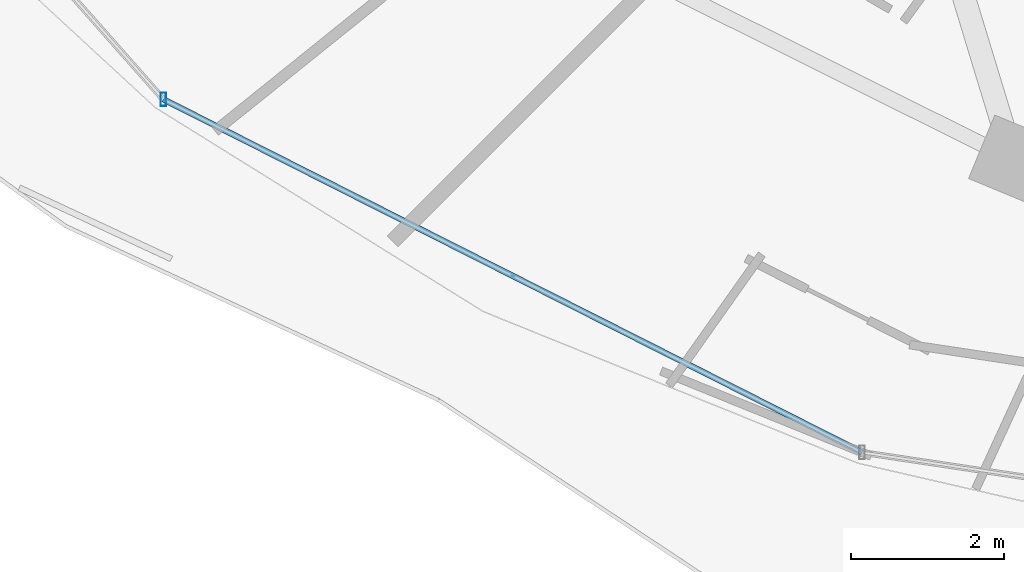
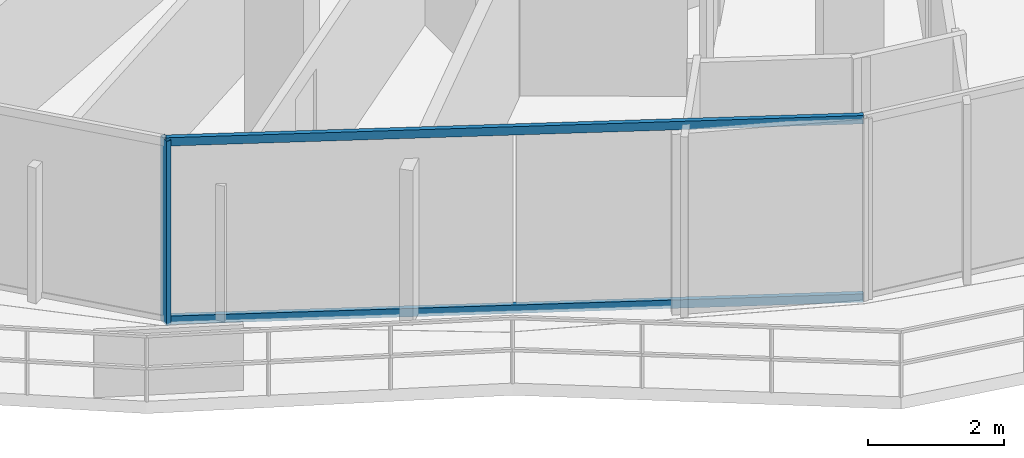
# One storey, part 2 of 33: 3 members, 1 element without a shape of its own.
"""IFC4 building model written with IfcOpenShell, lengths in metres."""

from ifc_helpers import new_model, si_unit, direction, frame, origin, origin_2d, place, context, subcontext, project, spatial, hollow_rectangle, extrude, material, material_profile, profile_set, type_object, element, aggregate, save


model = new_model("IFC4")

# Units and contexts
model_context = context("Model", 3, precision=1e-05, world=origin(), true_north=direction((0.0, 1.0)))
body_context = subcontext(model_context, "Body", "Model", "MODEL_VIEW")
ifc_project = project(units=[si_unit("LENGTHUNIT", "METRE"), si_unit("AREAUNIT", "SQUARE_METRE"), si_unit("VOLUMEUNIT", "CUBIC_METRE"), si_unit("PLANEANGLEUNIT", "RADIAN"), si_unit("MASSUNIT", "GRAM", prefix="KILO")], contexts=[model_context])

# Site, building, storey
site_placement = place(None, origin())
site = spatial("IfcSite", under=ifc_project, at=site_placement, CompositionType="ELEMENT")
building_placement = place(site_placement, origin())
building = spatial("IfcBuilding", under=site, at=building_placement, Name="Vorneva Point Tower", CompositionType="ELEMENT")
storey_placement = place(building_placement, frame((0.0, 0.0, 179.10009765625)))
storey = spatial("IfcBuildingStorey", under=building, at=storey_placement, Name="L48", CompositionType="ELEMENT", Elevation=179.10009765625)

# Curtain wall, members
ifc_material = material(Name="Pale anodised aluminium", Category="aluminium")
curtain_wall_type = type_object("IfcCurtainWallType", Name="CW-RES-SYS", PredefinedType="NOTDEFINED", material=ifc_material)
curtain_wall_placement = place(storey_placement, origin())
curtain_wall = element("IfcCurtainWall", 1, at=curtain_wall_placement, inside=storey, type_object=curtain_wall_type, Name="L48 Unitised Curtain Wall CW-L48-R03", PredefinedType="NOTDEFINED")
ifc_material_profile_1 = material_profile(ifc_material, hollow_rectangle(XDim=0.074951171875, YDim=0.179931640625, WallThickness=0.00390625, at=origin_2d()), Name="AL-MUL 180x75x4")
ifc_profile_set_1 = profile_set([ifc_material_profile_1], Name="Pale anodised aluminium")
member_type_1 = type_object("IfcMemberType", Name="CW-MUL-180", PredefinedType="MULLION", material=ifc_profile_set_1)
member_1_placement = place(storey_placement, frame((18.038330078125, 10.9033203125, -0.0400390625), z_axis=(0.0, 0.0, 1.0), x_axis=(1.0, 0.0, 0.0)))
member_1 = element("IfcMember", 2, at=member_1_placement, type_object=member_type_1, Name="CW-L48-R03 Mullion 02", PredefinedType="MULLION", context=body_context, shape_type="SweptSolid", body=[
    extrude(hollow_rectangle(XDim=0.074951171875, YDim=0.179931640625, WallThickness=0.00390625, at=origin_2d()), origin(), (0.0, 0.0, 1.0), 3.31005859375),
])
ifc_material_profile_2 = material_profile(ifc_material, hollow_rectangle(XDim=0.074951171875, YDim=0.14990234375, WallThickness=0.00390625, at=origin_2d()), Name="AL-TRN 150x75x4")
ifc_profile_set_2 = profile_set([ifc_material_profile_2], Name="Pale anodised aluminium")
member_type_2 = type_object("IfcMemberType", Name="CW-TRN-150", PredefinedType="USERDEFINED", material=ifc_profile_set_2)
member_2_placement = place(storey_placement, frame((18.038330078125, 10.9033203125, 0.02001953125), z_axis=(0.892510927709, -0.451025768576, 0.0), x_axis=(0.451025768576, 0.892510927709, 0.0)))
member_2 = element("IfcMember", 3, at=member_2_placement, type_object=member_type_2, Name="CW-L48-R03 Transom 02.1", ObjectType="TRANSOM", PredefinedType="USERDEFINED", context=body_context, shape_type="SweptSolid", body=[
    extrude(hollow_rectangle(XDim=0.074951171875, YDim=0.14990234375, WallThickness=0.00390625, at=origin_2d()), origin(), (0.0, 0.0, 1.0), 10.261474609375),
])
member_3_placement = place(storey_placement, frame((18.038330078125, 10.9033203125, 3.219970703125), z_axis=(0.892510927709, -0.451025768576, 0.0), x_axis=(0.451025768576, 0.892510927709, 0.0)))
member_3 = element("IfcMember", 4, at=member_3_placement, type_object=member_type_2, Name="CW-L48-R03 Transom 02.2", ObjectType="TRANSOM", PredefinedType="USERDEFINED", context=body_context, shape_type="SweptSolid", body=[
    extrude(hollow_rectangle(XDim=0.074951171875, YDim=0.14990234375, WallThickness=0.00390625, at=origin_2d()), origin(), (0.0, 0.0, 1.0), 10.261474609375),
])
aggregate(curtain_wall, [member_1, member_2, member_3])

save(model, "model.ifc")
